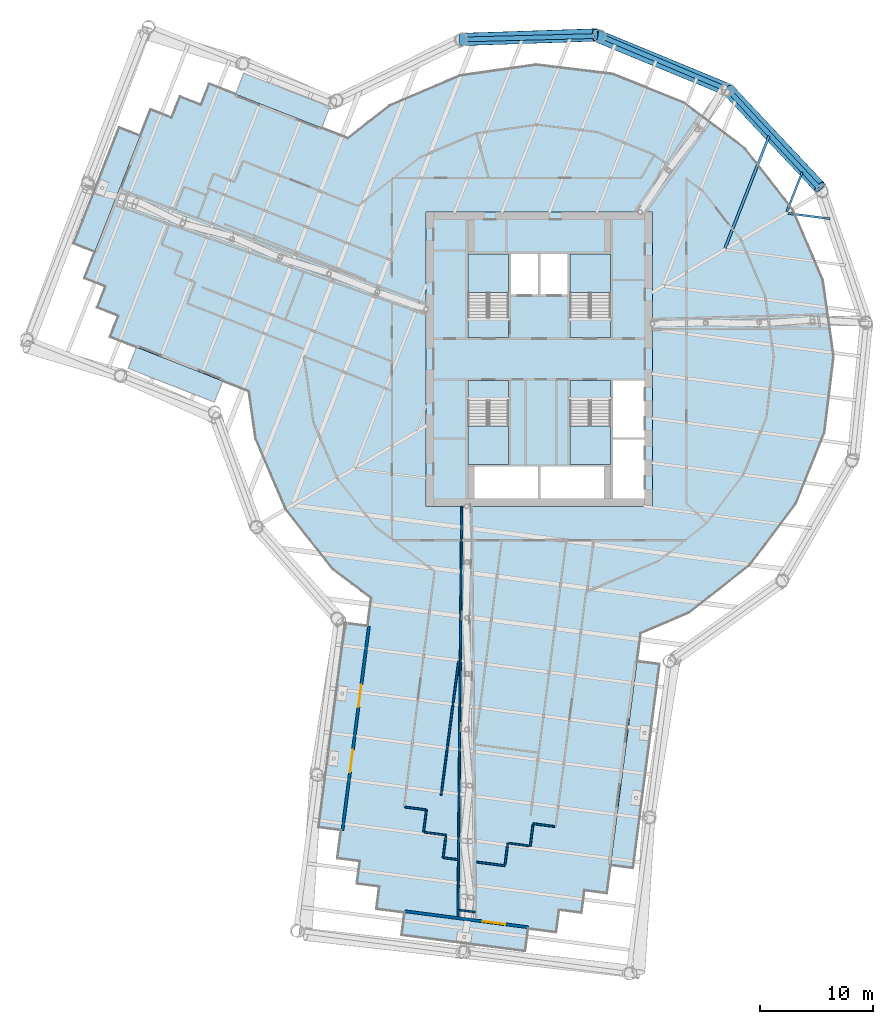
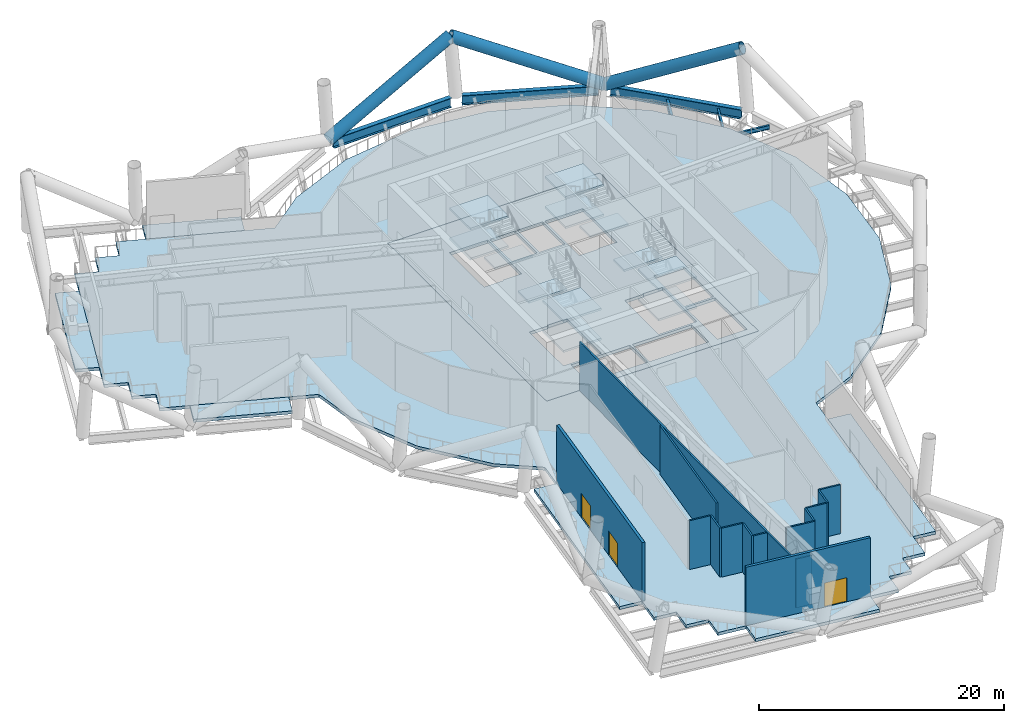
# One storey, part 10 of 36: 20 slabs, 15 walls, 6 beams, 3 doors, 3 members, 3 openings, 4 elements without a shape of their own.
"""IFC4 building model written with IfcOpenShell, lengths in metres."""

import ifcopenshell
import ifcopenshell.guid

model = None  # the IFC model being written
_history = None  # IfcOwnerHistory: only IFC2X3 demands one
_inside = {}  # id of a spatial element -> (the spatial element, [elements in it])
_under = {}  # id of a project, library or spatial element -> (it, [spatial elements below it])
_declared = {}  # id of a project -> (the project, [libraries it declares])
_typed = {}  # id of a type object -> (the type object, [elements of that type])
_made_of = {}  # id of a material, layer set ... -> (it, [elements and type objects made of it])


def new_model(schema):
    """Start an empty IFC model of exactly this schema.

    Asked for "IFC4X3", IfcOpenShell would pick the latest addendum, in which some entities
    have other attributes; the version numbers below select the first issue.
    IFC2X3 requires an IfcOwnerHistory on every rooted entity: one is made here for all.
    """
    global model, _history
    if schema == "IFC4X3":
        model = ifcopenshell.file(schema_version=(4, 3, 0, 0))
    else:
        model = ifcopenshell.file(schema=schema)
    _inside.clear()
    _under.clear()
    _declared.clear()
    _typed.clear()
    _made_of.clear()
    _history = None
    if model.schema == "IFC2X3":
        org = make("IfcOrganization", Name="unknown")
        user = make(
            "IfcPersonAndOrganization",
            ThePerson=make("IfcPerson", FamilyName="unknown"),
            TheOrganization=org,
        )
        app = make(
            "IfcApplication",
            ApplicationDeveloper=org,
            Version="unknown",
            ApplicationFullName="unknown",
            ApplicationIdentifier="unknown",
        )
        _history = make(
            "IfcOwnerHistory",
            OwningUser=user,
            OwningApplication=app,
            ChangeAction="ADDED",
            CreationDate=0,
        )
    return model


def make(cls, **values):
    """One entity of the class cls with the attributes given. An attribute that is None is left unset."""
    return model.create_entity(
        cls, **{name: value for name, value in values.items() if value is not None}
    )


def rooted(cls, **values):
    """An entity with a GlobalId (a new one), such as an element, a storey or a relation."""
    return make(cls, GlobalId=ifcopenshell.guid.new(), OwnerHistory=_history, **values)


def si_unit(unit_type, name, prefix=None):
    """IfcSIUnit, for example si_unit("LENGTHUNIT", "METRE", prefix="MILLI")."""
    return make("IfcSIUnit", UnitType=unit_type, Prefix=prefix, Name=name)


def assignment(units):
    """IfcUnitAssignment: the units of a project."""
    return None if units is None else make("IfcUnitAssignment", Units=units)


def point(xyz):
    """IfcCartesianPoint."""
    return None if xyz is None else make("IfcCartesianPoint", Coordinates=xyz)


def direction(xyz):
    """IfcDirection."""
    return None if xyz is None else make("IfcDirection", DirectionRatios=xyz)


def frame(location, z_axis=None, x_axis=None):
    """IfcAxis2Placement3D, a coordinate frame: its origin and axes. An axis left out is left unset."""
    return make(
        "IfcAxis2Placement3D",
        Location=point(location),
        Axis=direction(z_axis),
        RefDirection=direction(x_axis),
    )


def frame_2d(location, x_axis=None):
    """IfcAxis2Placement2D, a coordinate frame in the plane: its origin and x axis."""
    return make(
        "IfcAxis2Placement2D", Location=point(location), RefDirection=direction(x_axis)
    )


def origin():
    """The frame at (0, 0, 0) with its axes left unset."""
    return frame((0.0, 0.0, 0.0))


def origin_2d():
    """The frame at (0, 0) in the plane with its x axis left unset."""
    return frame_2d((0.0, 0.0))


def place(relative_to, where):
    """IfcLocalPlacement: puts the frame where relative to a parent placement (None: the world)."""
    return make(
        "IfcLocalPlacement", PlacementRelTo=relative_to, RelativePlacement=where
    )


def context(
    kind, dimensions, precision=None, world=None, true_north=None, identifier=None
):
    """IfcGeometricRepresentationContext, for example the 3D "Model" context."""
    return make(
        "IfcGeometricRepresentationContext",
        ContextIdentifier=identifier,
        ContextType=kind,
        CoordinateSpaceDimension=dimensions,
        Precision=precision,
        WorldCoordinateSystem=world,
        TrueNorth=true_north,
    )


def subcontext(parent, identifier, kind, view, scale=None):
    """IfcGeometricRepresentationSubContext, for example "Body" below "Model"."""
    return make(
        "IfcGeometricRepresentationSubContext",
        ContextIdentifier=identifier,
        ContextType=kind,
        ParentContext=parent,
        TargetScale=scale,
        TargetView=view,
    )


def project(units=None, contexts=None):
    """IfcProject with its units and contexts."""
    return rooted(
        "IfcProject",
        Name="project",
        RepresentationContexts=contexts,
        UnitsInContext=assignment(units),
    )


def spatial(cls, under=None, at=None, **own):
    """A site, building, storey or space (cls), placed at a placement, below another one or the project."""
    s = rooted(cls, ObjectPlacement=at, **own)
    if under is not None:
        _under.setdefault(under.id(), (under, []))[1].append(s)
    return s


def polyline(points):
    """IfcPolyline through the points."""
    return make("IfcPolyline", Points=[point(p) for p in points])


def profile(cls, at=None, kind="AREA", **sizes):
    """A parametric profile (cls). Its sizes go by their IFC names, for example OverallWidth=200.0."""
    return make(cls, ProfileType=kind, Position=at, **sizes)


def rectangle(**sizes):
    """IfcRectangleProfileDef."""
    return profile("IfcRectangleProfileDef", **sizes)


def hollow_circle(**sizes):
    """IfcCircleHollowProfileDef."""
    return profile("IfcCircleHollowProfileDef", **sizes)


def i_section(**sizes):
    """IfcIShapeProfileDef."""
    return profile("IfcIShapeProfileDef", **sizes)


def outline(outer, holes=None, kind="AREA"):
    """IfcArbitraryClosedProfileDef: a profile drawn as a closed curve; with holes, ...WithVoids."""
    if holes is None:
        return make("IfcArbitraryClosedProfileDef", ProfileType=kind, OuterCurve=outer)
    return make(
        "IfcArbitraryProfileDefWithVoids",
        ProfileType=kind,
        OuterCurve=outer,
        InnerCurves=holes,
    )


def extrude(swept, where, along, depth):
    """IfcExtrudedAreaSolid: the profile swept, set in the frame where, extruded along a direction by depth."""
    return make(
        "IfcExtrudedAreaSolid",
        SweptArea=swept,
        Position=where,
        ExtrudedDirection=direction(along),
        Depth=depth,
    )


def shape(context_of_items, identifier, shape_type, items):
    """IfcShapeRepresentation: the items that make up one representation, for example the "Body"."""
    return make(
        "IfcShapeRepresentation",
        ContextOfItems=context_of_items,
        RepresentationIdentifier=identifier,
        RepresentationType=shape_type,
        Items=items,
    )


def material(Name=None, Category=None):
    """IfcMaterial."""
    return make("IfcMaterial", Name=Name, Category=Category)


def layer(
    of_material, thickness, ventilated=None, Name=None, Category=None, Priority=None
):
    """IfcMaterialLayer: one layer of a wall or slab, of a material (None: an air gap)."""
    return make(
        "IfcMaterialLayer",
        Material=of_material,
        LayerThickness=thickness,
        IsVentilated=ventilated,
        Name=Name,
        Category=Category,
        Priority=Priority,
    )


def layer_set(layers, Name=None):
    """IfcMaterialLayerSet."""
    return make("IfcMaterialLayerSet", MaterialLayers=layers, LayerSetName=Name)


def material_profile(
    of_material, cross_section, Name=None, Category=None, Priority=None
):
    """IfcMaterialProfile: a cross section and its material."""
    return make(
        "IfcMaterialProfile",
        Name=Name,
        Material=of_material,
        Profile=cross_section,
        Priority=Priority,
        Category=Category,
    )


def profile_set(profiles, Name=None, composite=None):
    """IfcMaterialProfileSet."""
    return make(
        "IfcMaterialProfileSet",
        Name=Name,
        MaterialProfiles=profiles,
        CompositeProfile=composite,
    )


def made_of(thing, what):
    """Note that an element or type object is made of a material, layer set ...; save() writes the relation."""
    if what is not None:
        _made_of.setdefault(what.id(), (what, []))[1].append(thing)
    return thing


def type_object(cls, material=None, **own):
    """A type object (cls), such as IfcWallType, which elements share."""
    return made_of(rooted(cls, **own), material)


def element(
    cls,
    number,
    at=None,
    inside=None,
    cuts=None,
    type_object=None,
    material=None,
    context=None,
    identifier="Body",
    shape_type=None,
    held_by="IfcProductDefinitionShape",
    body=None,
    shapes=None,
    **own,
):
    """One element of the class cls, such as IfcWall. Its Tag is "e" and its number.

    at: its placement. inside: the storey or other place that contains it. cuts: it is an
    opening in that element (IfcRelVoidsElement). A single representation is given by context,
    identifier, shape_type and body (its items); several are given by shapes. held_by: the class
    of the entity that holds the representations. save() writes the other relations.
    """
    e = rooted(cls, Tag="e%d" % number, ObjectPlacement=at, **own)
    if body is not None:
        shapes = [shape(context, identifier, shape_type, body)]
    if shapes is not None:
        e.Representation = make(held_by, Representations=shapes)
    if inside is not None:
        _inside.setdefault(inside.id(), (inside, []))[1].append(e)
    if cuts is not None:
        rooted(
            "IfcRelVoidsElement", RelatingBuildingElement=cuts, RelatedOpeningElement=e
        )
    if type_object is not None:
        _typed.setdefault(type_object.id(), (type_object, []))[1].append(e)
    return made_of(e, material)


def fill(opening, filler):
    """IfcRelFillsElement: the door or window that sits in an opening."""
    return rooted(
        "IfcRelFillsElement",
        RelatingOpeningElement=opening,
        RelatedBuildingElement=filler,
    )


def aggregate(whole, parts):
    """IfcRelAggregates: a whole, such as a stair, and the parts it consists of."""
    return rooted("IfcRelAggregates", RelatingObject=whole, RelatedObjects=parts)


def save(model, path):
    """Write the relations noted so far, then the file.

    IfcRelAggregates (storeys below a building ...), IfcRelContainedInSpatialStructure (elements
    in a storey), IfcRelDefinesByType, IfcRelAssociatesMaterial and IfcRelDeclares: one each for
    every whole, place, type object, material and project.
    """
    for whole, parts in _under.values():
        aggregate(whole, parts)
    for where, things in _inside.values():
        rooted(
            "IfcRelContainedInSpatialStructure",
            RelatedElements=things,
            RelatingStructure=where,
        )
    for kind, things in _typed.values():
        rooted("IfcRelDefinesByType", RelatedObjects=things, RelatingType=kind)
    for what, things in _made_of.values():
        rooted("IfcRelAssociatesMaterial", RelatedObjects=things, RelatingMaterial=what)
    for by, libraries in _declared.values():
        rooted("IfcRelDeclares", RelatingContext=by, RelatedDefinitions=libraries)
    model.write(path)


model = new_model("IFC4")

# Units and contexts
model_context = context("Model", 3, precision=1e-05, world=origin(), true_north=direction((0.0, 1.0)))
body_context = subcontext(model_context, "Body", "Model", "MODEL_VIEW")
ifc_project = project(units=[si_unit("LENGTHUNIT", "METRE"), si_unit("AREAUNIT", "SQUARE_METRE"), si_unit("VOLUMEUNIT", "CUBIC_METRE"), si_unit("PLANEANGLEUNIT", "RADIAN"), si_unit("MASSUNIT", "GRAM", prefix="KILO")], contexts=[model_context])

# Site, building, storey
site_placement = place(None, origin())
site = spatial("IfcSite", under=ifc_project, at=site_placement, CompositionType="ELEMENT")
building_placement = place(site_placement, origin())
building = spatial("IfcBuilding", under=site, at=building_placement, Name="Tarsis Ring Headquarters", CompositionType="ELEMENT")
storey_placement = place(building_placement, frame((0.0, 0.0, 194.39990234375)))
storey = spatial("IfcBuildingStorey", under=building, at=storey_placement, Name="L45", CompositionType="ELEMENT", Elevation=194.39990234375)

# Beams
ifc_material_1 = material(Name="Structural steel S355", Category="steel")
ifc_material_profile_1 = material_profile(ifc_material_1, i_section(OverallWidth=0.177734375, OverallDepth=0.406494140625, WebThickness=0.0078125, FlangeThickness=0.0126953125, at=origin_2d()), Name="W16x40")
ifc_profile_set_1 = profile_set([ifc_material_profile_1], Name="Structural steel S355")
beam_type_1 = type_object("IfcBeamType", Name="FB Floor beam W16x40", PredefinedType="JOIST", material=ifc_profile_set_1)
beam_1_placement = place(storey_placement, frame((21.96044921875, 12.87890625, -0.503173828125), z_axis=(0.991670125326, -0.128803581221, 0.0), x_axis=(0.128803581221, 0.991670125326, 0.0)))
element("IfcBeam", 1, at=beam_1_placement, inside=storey, type_object=beam_type_1, Name="Floor beam FB1", PredefinedType="JOIST", context=body_context, shape_type="SweptSolid", body=[
    extrude(i_section(OverallWidth=0.177734375, OverallDepth=0.406494140625, WebThickness=0.0078125, FlangeThickness=0.0126953125, at=origin_2d()), origin(), (0.0, 0.0, 1.0), 3.74169921875),
])
beam_2_placement = place(storey_placement, frame((23.230712890625, 16.5234375, -0.503173828125), z_axis=(-0.364913442437, -0.931041448878, 0.0), x_axis=(0.931041448878, -0.364913442437, 0.0)))
element("IfcBeam", 2, at=beam_2_placement, inside=storey, type_object=beam_type_1, Name="Floor beam FB1", PredefinedType="JOIST", context=body_context, shape_type="SweptSolid", body=[
    extrude(i_section(OverallWidth=0.177734375, OverallDepth=0.406494140625, WebThickness=0.0078125, FlangeThickness=0.0126953125, at=origin_2d()), origin(), (0.0, 0.0, 1.0), 3.741943359375),
])
ifc_material_profile_2 = material_profile(ifc_material_1, i_section(OverallWidth=0.228271484375, OverallDepth=0.607177734375, WebThickness=0.01123046875, FlangeThickness=0.017333984375, at=origin_2d()), Name="W24x76")
ifc_profile_set_2 = profile_set([ifc_material_profile_2], Name="Structural steel S355")
beam_type_2 = type_object("IfcBeamType", Name="FB Floor beam W24x76", PredefinedType="JOIST", material=ifc_profile_set_2)
beam_3_placement = place(storey_placement, frame((20.288330078125, 19.703857421875, -0.603515625), z_axis=(-0.36488204632, -0.931053753697, 0.0), x_axis=(0.931053753697, -0.36488204632, 0.0)))
element("IfcBeam", 3, at=beam_3_placement, inside=storey, type_object=beam_type_2, Name="Floor beam FB4", PredefinedType="JOIST", context=body_context, shape_type="SweptSolid", body=[
    extrude(i_section(OverallWidth=0.228271484375, OverallDepth=0.607177734375, WebThickness=0.01123046875, FlangeThickness=0.017333984375, at=origin_2d()), origin(), (0.0, 0.0, 1.0), 10.62109375),
])

# Members
ifc_material_profile_3 = material_profile(ifc_material_1, hollow_circle(Radius=0.558837890625, WallThickness=0.044921875, at=origin_2d()), Name="CHS 1118x45")
ifc_profile_set_3 = profile_set([ifc_material_profile_3], Name="Structural steel S355")
member_type = type_object("IfcMemberType", Name="TD Belt truss diagonal CHS 1118x45", PredefinedType="BRACE", material=ifc_profile_set_3)
member_1_placement = place(storey_placement, frame((16.685302734375, 23.7783203125, 0.0), z_axis=(0.610485750503, -0.64893558092, 0.454081226487), x_axis=(0.728355222599, 0.685199729796, 0.0)))
element("IfcMember", 4, at=member_1_placement, inside=storey, type_object=member_type, Name="Belt truss diagonal TD4", PredefinedType="BRACE", context=body_context, shape_type="SweptSolid", body=[
    extrude(hollow_circle(Radius=0.558837890625, WallThickness=0.044921875, at=origin_2d()), origin(), (0.0, 0.0, 1.0), 13.21337890625),
])
member_2_placement = place(storey_placement, frame((16.685302734375, 23.7783203125, 0.0), z_axis=(-0.836198047385, 0.344767042512, 0.426507341024), x_axis=(-0.381175348823, -0.924502760109, 0.0)))
element("IfcMember", 5, at=member_2_placement, inside=storey, type_object=member_type, Name="Belt truss diagonal TD4", PredefinedType="BRACE", context=body_context, shape_type="SweptSolid", body=[
    extrude(hollow_circle(Radius=0.558837890625, WallThickness=0.044921875, at=origin_2d()), origin(), (0.0, 0.0, 1.0), 14.06787109375),
])
member_3_placement = place(storey_placement, frame((-6.843994140625, 28.230712890625, 0.0), z_axis=(0.890450020007, 0.030098625995, 0.454084611701), x_axis=(-0.033782296014, 0.99942921534, 0.0)))
element("IfcMember", 6, at=member_3_placement, inside=storey, type_object=member_type, Name="Belt truss diagonal TD4", PredefinedType="BRACE", context=body_context, shape_type="SweptSolid", body=[
    extrude(hollow_circle(Radius=0.558837890625, WallThickness=0.044921875, at=origin_2d()), origin(), (0.0, 0.0, 1.0), 13.21337890625),
])

# Beams
ifc_material_profile_4 = material_profile(ifc_material_1, i_section(OverallWidth=0.42431640625, OverallDepth=0.947509765625, WebThickness=0.02392578125, FlangeThickness=0.042724609375, at=origin_2d()), Name="W36x302")
ifc_profile_set_4 = profile_set([ifc_material_profile_4], Name="Structural steel S355")
beam_type_3 = type_object("IfcBeamType", Name="XG Ring girder W36x302", PredefinedType="BEAM", material=ifc_profile_set_4)
beam_4_placement = place(storey_placement, frame((24.661865234375, 15.156005859375, -0.4736328125), z_axis=(-0.679081475069, 0.734062906172, 0.0), x_axis=(-0.734062906172, -0.679081475069, 0.0)))
element("IfcBeam", 7, at=beam_4_placement, inside=storey, type_object=beam_type_3, Name="Ring girder XG1", PredefinedType="BEAM", context=body_context, shape_type="SweptSolid", body=[
    extrude(i_section(OverallWidth=0.42431640625, OverallDepth=0.947509765625, WebThickness=0.02392578125, FlangeThickness=0.042724609375, at=origin_2d()), origin(), (0.0, 0.0, 1.0), 11.2431640625),
])
for number, where, z_axis, x_axis, name in (
    (8, (16.22216796875, 23.97412109375, -0.4736328125), (-0.92128223993, 0.388894631474, 0.0), (-0.388894631474, -0.92128223993, 0.0), "Ring girder XG1"),
    (9, (4.89794921875, 28.529296875, -0.4736328125), (-0.999676646217, -0.025428389798, 0.0), (0.025428389798, -0.999676646217, 0.0), "Ring girder XG1"),
):
    element("IfcBeam", number, at=place(storey_placement, frame(where, z_axis=z_axis, x_axis=x_axis)), inside=storey, type_object=beam_type_3, Name=name, PredefinedType="BEAM", context=body_context, shape_type="SweptSolid", body=[
        extrude(i_section(OverallWidth=0.42431640625, OverallDepth=0.947509765625, WebThickness=0.02392578125, FlangeThickness=0.042724609375, at=origin_2d()), origin(), (0.0, 0.0, 1.0), 11.242919921875),
    ])

# Slabs
ifc_material_2 = material(Name="Concrete C40/50", Category="concrete")
ifc_layer_1 = layer(ifc_material_2, 0.159912109375)
ifc_layer_set_1 = layer_set([ifc_layer_1], Name="Balcony slab concrete C40/50")
slab_type_1 = type_object("IfcSlabType", Name="Balcony slab concrete C40/50", PredefinedType="FLOOR", material=ifc_layer_set_1)
slab_1_placement = place(storey_placement, frame((0.0, 0.0, -0.2998046875)))
element("IfcSlab", 10, at=slab_1_placement, inside=storey, type_object=slab_type_1, Name="Balcony slab L45-01", PredefinedType="FLOOR", context=body_context, shape_type="SweptSolid", body=[
    extrude(outline(polyline([(-35.56884765625, 1.05078125), (-36.298583984375, -0.8115234375), (-28.68994140625, -3.793212890625), (-27.960205078125, -1.93115234375), (-35.56884765625, 1.05078125)])), origin(), (0.0, 0.0, 1.0), 0.2998046875),
])
slab_2_placement = place(storey_placement, frame((0.0, 0.0, -0.2998046875)))
element("IfcSlab", 11, at=slab_2_placement, inside=storey, type_object=slab_type_1, Name="Balcony slab L45-06", PredefinedType="FLOOR", context=body_context, shape_type="SweptSolid", body=[
    extrude(outline(polyline([(-15.162109375, -23.571533203125), (-17.1455078125, -23.31396484375), (-19.486083984375, -41.33447265625), (-17.502685546875, -41.592041015625), (-15.162109375, -23.571533203125)])), origin(), (0.0, 0.0, 1.0), 0.2998046875),
])
slab_3_placement = place(storey_placement, frame((0.0, 0.0, -0.2998046875)))
element("IfcSlab", 12, at=slab_3_placement, inside=storey, type_object=slab_type_1, Name="Balcony slab L45-11", PredefinedType="FLOOR", context=body_context, shape_type="SweptSolid", body=[
    extrude(outline(polyline([(-11.89404296875, -48.875244140625), (-12.151611328125, -50.858642578125), (-1.2431640625, -52.275390625), (-0.985595703125, -50.2919921875), (-11.89404296875, -48.875244140625)])), origin(), (0.0, 0.0, 1.0), 0.2998046875),
])
slab_4_placement = place(storey_placement, frame((0.0, 0.0, -0.2998046875)))
element("IfcSlab", 13, at=slab_4_placement, inside=storey, type_object=slab_type_1, Name="Balcony slab L45-16", PredefinedType="FLOOR", context=body_context, shape_type="SweptSolid", body=[
    extrude(outline(polyline([(6.29736328125, -44.683349609375), (8.28076171875, -44.94091796875), (10.61865234375, -26.940673828125), (8.63525390625, -26.68310546875), (6.29736328125, -44.683349609375)])), origin(), (0.0, 0.0, 1.0), 0.2998046875),
])
slab_5_placement = place(storey_placement, frame((0.0, 0.0, -0.2998046875)))
element("IfcSlab", 14, at=slab_5_placement, inside=storey, type_object=slab_type_1, Name="Balcony slab L45-31", PredefinedType="FLOOR", context=body_context, shape_type="SweptSolid", body=[
    extrude(outline(polyline([(-19.222412109375, 20.421875), (-18.49267578125, 22.283935546875), (-26.08203125, 25.258056640625), (-26.811767578125, 23.39599609375), (-19.222412109375, 20.421875)])), origin(), (0.0, 0.0, 1.0), 0.2998046875),
])
slab_6_placement = place(storey_placement, frame((0.0, 0.0, -0.2998046875)))
element("IfcSlab", 15, at=slab_6_placement, inside=storey, type_object=slab_type_1, Name="Balcony slab L45-36", PredefinedType="FLOOR", context=body_context, shape_type="SweptSolid", body=[
    extrude(outline(polyline([(-35.2353515625, 19.7158203125), (-37.097412109375, 20.445556640625), (-41.111083984375, 10.2041015625), (-39.2490234375, 9.474365234375), (-35.2353515625, 19.7158203125)])), origin(), (0.0, 0.0, 1.0), 0.2998046875),
])
ifc_layer_2 = layer(ifc_material_2, 0.300048828125)
ifc_layer_set_2 = layer_set([ifc_layer_2], Name="Core floor slab 300 C40/50")
slab_type_2 = type_object("IfcSlabType", Name="Core floor slab 300 C40/50", PredefinedType="FLOOR", material=ifc_layer_set_2)
slab_7_placement = place(storey_placement, frame((0.0, 0.0, -0.2998046875)))
element("IfcSlab", 16, at=slab_7_placement, inside=storey, type_object=slab_type_2, Name="L45 core floor slab", PredefinedType="FLOOR", context=body_context, shape_type="SweptSolid", body=[
    extrude(outline(polyline([(-10.0, -13.0), (10.0, -13.0), (10.0, 13.0), (-10.0, 13.0), (-10.0, -13.0)]), holes=[polyline([(-2.5, 5.699951171875), (-0.10009765625, 5.699951171875), (-0.10009765625, 9.300048828125), (-2.5, 9.300048828125), (-2.5, 5.699951171875)]), polyline([(0.10009765625, 5.699951171875), (2.5, 5.699951171875), (2.5, 9.300048828125), (0.10009765625, 9.300048828125), (0.10009765625, 5.699951171875)]), polyline([(6.5, -12.300048828125), (9.300048828125, -12.300048828125), (9.300048828125, -7.10009765625), (6.5, -7.10009765625), (6.5, -12.300048828125)]), polyline([(6.5, -6.89990234375), (9.300048828125, -6.89990234375), (9.300048828125, -1.89990234375), (6.5, -1.89990234375), (6.5, -6.89990234375)]), polyline([(-5.699951171875, -12.300048828125), (-0.10009765625, -12.300048828125), (-0.10009765625, -9.5), (-5.699951171875, -9.5), (-5.699951171875, -12.300048828125)]), polyline([(0.10009765625, -12.300048828125), (5.699951171875, -12.300048828125), (5.699951171875, -9.5), (0.10009765625, -9.5), (0.10009765625, -12.300048828125)]), polyline([(-2.699951171875, 3.760009765625), (-2.699951171875, 9.300048828125), (-6.300048828125, 9.300048828125), (-6.300048828125, 3.659912109375), (-4.4599609375, 3.659912109375), (-4.4599609375, 3.760009765625), (-2.699951171875, 3.760009765625)]), polyline([(6.300048828125, 3.760009765625), (6.300048828125, 9.300048828125), (2.699951171875, 9.300048828125), (2.699951171875, 3.659912109375), (4.5400390625, 3.659912109375), (4.5400390625, 3.760009765625), (6.300048828125, 3.760009765625)]), polyline([(-6.300048828125, -3.760009765625), (-6.300048828125, -9.300048828125), (-2.699951171875, -9.300048828125), (-2.699951171875, -3.659912109375), (-4.5400390625, -3.659912109375), (-4.5400390625, -3.760009765625), (-6.300048828125, -3.760009765625)]), polyline([(2.699951171875, -3.760009765625), (2.699951171875, -9.300048828125), (6.300048828125, -9.300048828125), (6.300048828125, -3.659912109375), (4.4599609375, -3.659912109375), (4.4599609375, -3.760009765625), (2.699951171875, -3.760009765625)])]), origin(), (0.0, 0.0, 1.0), 0.2998046875),
])

# Stair, slabs
ifc_material_3 = material(Name="Core stair 1760")
stair_type = type_object("IfcStairType", Name="Core stair 1760", PredefinedType="HALF_TURN_STAIR", material=ifc_material_3)
stair_1_placement = place(storey_placement, origin())
stair_1 = element("IfcStair", 17, at=stair_1_placement, inside=storey, type_object=stair_type, Name="L45 Firefighting stair", PredefinedType="HALF_TURN_STAIR")
ifc_layer_3 = layer(ifc_material_2, 0.199951171875)
ifc_layer_set_3 = layer_set([ifc_layer_3], Name="Core stair landing 200")
slab_type_3 = type_object("IfcSlabType", Name="Core stair landing 200", PredefinedType="LANDING", material=ifc_layer_set_3)
slab_8_placement = place(storey_placement, frame((0.0, 0.0, 1.300048828125)))
slab_8 = element("IfcSlab", 18, at=slab_8_placement, type_object=slab_type_3, Name="Stair ST1 landing 1", PredefinedType="LANDING", context=body_context, shape_type="SweptSolid", body=[
    extrude(outline(polyline([(-2.699951171875, 5.89990234375), (-2.699951171875, 9.300048828125), (-6.300048828125, 9.300048828125), (-6.300048828125, 5.89990234375), (-2.699951171875, 5.89990234375)])), origin(), (0.0, 0.0, 1.0), 0.199951171875),
])
slab_9_placement = place(storey_placement, frame((0.0, 0.0, 2.800048828125)))
slab_9 = element("IfcSlab", 19, at=slab_9_placement, type_object=slab_type_3, Name="Stair ST1 landing 2", PredefinedType="LANDING", context=body_context, shape_type="SweptSolid", body=[
    extrude(outline(polyline([(-2.699951171875, 1.89990234375), (-2.699951171875, 3.659912109375), (-6.300048828125, 3.659912109375), (-6.300048828125, 1.89990234375), (-2.699951171875, 1.89990234375)])), origin(), (0.0, 0.0, 1.0), 0.199951171875),
])
slab_10_placement = place(storey_placement, frame((0.0, 0.0, 4.300048828125)))
slab_10 = element("IfcSlab", 20, at=slab_10_placement, type_object=slab_type_3, Name="Stair ST1 landing 3", PredefinedType="LANDING", context=body_context, shape_type="SweptSolid", body=[
    extrude(outline(polyline([(-2.699951171875, 5.89990234375), (-2.699951171875, 9.300048828125), (-6.300048828125, 9.300048828125), (-6.300048828125, 5.89990234375), (-2.699951171875, 5.89990234375)])), origin(), (0.0, 0.0, 1.0), 0.199951171875),
])
aggregate(stair_1, [slab_8, slab_9, slab_10])

stair_2_placement = place(storey_placement, origin())
stair_2 = element("IfcStair", 21, at=stair_2_placement, inside=storey, type_object=stair_type, Name="L45 Exit stair B", PredefinedType="HALF_TURN_STAIR")
slab_11_placement = place(storey_placement, frame((0.0, 0.0, 1.300048828125)))
slab_11 = element("IfcSlab", 22, at=slab_11_placement, type_object=slab_type_3, Name="Stair ST2 landing 1", PredefinedType="LANDING", context=body_context, shape_type="SweptSolid", body=[
    extrude(outline(polyline([(6.300048828125, 5.89990234375), (6.300048828125, 9.300048828125), (2.699951171875, 9.300048828125), (2.699951171875, 5.89990234375), (6.300048828125, 5.89990234375)])), origin(), (0.0, 0.0, 1.0), 0.199951171875),
])
slab_12_placement = place(storey_placement, frame((0.0, 0.0, 2.800048828125)))
slab_12 = element("IfcSlab", 23, at=slab_12_placement, type_object=slab_type_3, Name="Stair ST2 landing 2", PredefinedType="LANDING", context=body_context, shape_type="SweptSolid", body=[
    extrude(outline(polyline([(6.300048828125, 1.89990234375), (6.300048828125, 3.659912109375), (2.699951171875, 3.659912109375), (2.699951171875, 1.89990234375), (6.300048828125, 1.89990234375)])), origin(), (0.0, 0.0, 1.0), 0.199951171875),
])
slab_13_placement = place(storey_placement, frame((0.0, 0.0, 4.300048828125)))
slab_13 = element("IfcSlab", 24, at=slab_13_placement, type_object=slab_type_3, Name="Stair ST2 landing 3", PredefinedType="LANDING", context=body_context, shape_type="SweptSolid", body=[
    extrude(outline(polyline([(6.300048828125, 5.89990234375), (6.300048828125, 9.300048828125), (2.699951171875, 9.300048828125), (2.699951171875, 5.89990234375), (6.300048828125, 5.89990234375)])), origin(), (0.0, 0.0, 1.0), 0.199951171875),
])
aggregate(stair_2, [slab_11, slab_12, slab_13])

stair_3_placement = place(storey_placement, origin())
stair_3 = element("IfcStair", 25, at=stair_3_placement, inside=storey, type_object=stair_type, Name="L45 Exit stair C", PredefinedType="HALF_TURN_STAIR")
slab_14_placement = place(storey_placement, frame((0.0, 0.0, 1.300048828125)))
slab_14 = element("IfcSlab", 26, at=slab_14_placement, type_object=slab_type_3, Name="Stair ST3 landing 1", PredefinedType="LANDING", context=body_context, shape_type="SweptSolid", body=[
    extrude(outline(polyline([(-6.300048828125, -5.89990234375), (-6.300048828125, -9.300048828125), (-2.699951171875, -9.300048828125), (-2.699951171875, -5.89990234375), (-6.300048828125, -5.89990234375)])), origin(), (0.0, 0.0, 1.0), 0.199951171875),
])
slab_15_placement = place(storey_placement, frame((0.0, 0.0, 2.800048828125)))
slab_15 = element("IfcSlab", 27, at=slab_15_placement, type_object=slab_type_3, Name="Stair ST3 landing 2", PredefinedType="LANDING", context=body_context, shape_type="SweptSolid", body=[
    extrude(outline(polyline([(-6.300048828125, -1.89990234375), (-6.300048828125, -3.659912109375), (-2.699951171875, -3.659912109375), (-2.699951171875, -1.89990234375), (-6.300048828125, -1.89990234375)])), origin(), (0.0, 0.0, 1.0), 0.199951171875),
])
slab_16_placement = place(storey_placement, frame((0.0, 0.0, 4.300048828125)))
slab_16 = element("IfcSlab", 28, at=slab_16_placement, type_object=slab_type_3, Name="Stair ST3 landing 3", PredefinedType="LANDING", context=body_context, shape_type="SweptSolid", body=[
    extrude(outline(polyline([(-6.300048828125, -5.89990234375), (-6.300048828125, -9.300048828125), (-2.699951171875, -9.300048828125), (-2.699951171875, -5.89990234375), (-6.300048828125, -5.89990234375)])), origin(), (0.0, 0.0, 1.0), 0.199951171875),
])
aggregate(stair_3, [slab_14, slab_15, slab_16])

stair_4_placement = place(storey_placement, origin())
stair_4 = element("IfcStair", 29, at=stair_4_placement, inside=storey, type_object=stair_type, Name="L45 Exit stair D", PredefinedType="HALF_TURN_STAIR")
slab_17_placement = place(storey_placement, frame((0.0, 0.0, 1.300048828125)))
slab_17 = element("IfcSlab", 30, at=slab_17_placement, type_object=slab_type_3, Name="Stair ST4 landing 1", PredefinedType="LANDING", context=body_context, shape_type="SweptSolid", body=[
    extrude(outline(polyline([(2.699951171875, -5.89990234375), (2.699951171875, -9.300048828125), (6.300048828125, -9.300048828125), (6.300048828125, -5.89990234375), (2.699951171875, -5.89990234375)])), origin(), (0.0, 0.0, 1.0), 0.199951171875),
])
slab_18_placement = place(storey_placement, frame((0.0, 0.0, 2.800048828125)))
slab_18 = element("IfcSlab", 31, at=slab_18_placement, type_object=slab_type_3, Name="Stair ST4 landing 2", PredefinedType="LANDING", context=body_context, shape_type="SweptSolid", body=[
    extrude(outline(polyline([(2.699951171875, -1.89990234375), (2.699951171875, -3.659912109375), (6.300048828125, -3.659912109375), (6.300048828125, -1.89990234375), (2.699951171875, -1.89990234375)])), origin(), (0.0, 0.0, 1.0), 0.199951171875),
])
slab_19_placement = place(storey_placement, frame((0.0, 0.0, 4.300048828125)))
slab_19 = element("IfcSlab", 32, at=slab_19_placement, type_object=slab_type_3, Name="Stair ST4 landing 3", PredefinedType="LANDING", context=body_context, shape_type="SweptSolid", body=[
    extrude(outline(polyline([(2.699951171875, -5.89990234375), (2.699951171875, -9.300048828125), (6.300048828125, -9.300048828125), (6.300048828125, -5.89990234375), (2.699951171875, -5.89990234375)])), origin(), (0.0, 0.0, 1.0), 0.199951171875),
])
aggregate(stair_4, [slab_17, slab_18, slab_19])

# Slab
ifc_material_4 = material(Name="Concrete C35/45", Category="concrete")
ifc_layer_4 = layer(ifc_material_4, 0.300048828125)
ifc_layer_set_4 = layer_set([ifc_layer_4], Name="FS Composite floor slab 300")
slab_type_4 = type_object("IfcSlabType", Name="FS Composite floor slab 300", PredefinedType="FLOOR", material=ifc_layer_set_4)
slab_20_placement = place(storey_placement, frame((0.0, 0.0, -0.2998046875)))
element("IfcSlab", 33, at=slab_20_placement, inside=storey, type_object=slab_type_4, Name="Floor slab L45", PredefinedType="FLOOR", context=body_context, shape_type="SweptSolid", body=[
    extrude(outline(polyline([(-25.632568359375, -2.84326171875), (-25.042236328125, -6.991943359375), (-22.37939453125, -13.235107421875), (-18.191162109375, -18.576171875), (-14.840087890625, -21.09228515625), (-17.82470703125, -44.0712890625), (-15.84130859375, -44.328857421875), (-16.098876953125, -46.312255859375), (-14.115478515625, -46.56982421875), (-14.373046875, -48.55322265625), (1.49365234375, -50.614013671875), (1.751220703125, -48.630615234375), (3.734619140625, -48.88818359375), (3.9921875, -46.90478515625), (5.975341796875, -47.162353515625), (8.957275390625, -24.203857421875), (13.235107421875, -22.37939453125), (18.576171875, -18.191162109375), (22.651611328125, -12.763427734375), (25.18310546875, -6.4658203125), (25.99853515625, 0.272216796875), (25.042236328125, 6.991943359375), (22.37939453125, 13.235107421875), (18.191162109375, 18.576171875), (12.763427734375, 22.651611328125), (6.4658203125, 25.18310546875), (-0.272216796875, 25.99853515625), (-6.991943359375, 25.042236328125), (-13.235107421875, 22.37939453125), (-16.894775390625, 19.509521484375), (-29.139404296875, 24.308349609375), (-29.869140625, 22.446044921875), (-31.7314453125, 23.17578125), (-32.461181640625, 21.313720703125), (-34.3232421875, 22.04345703125), (-40.1611328125, 7.146728515625), (-38.299072265625, 6.4169921875), (-39.02880859375, 4.5546875), (-37.166748046875, 3.824951171875), (-37.896484375, 1.962890625), (-25.632568359375, -2.84326171875)]), holes=[polyline([(-10.0, -13.0), (-10.0, 13.0), (10.0, 13.0), (10.0, -13.0), (-10.0, -13.0)])]), origin(), (0.0, 0.0, 1.0), 0.2998046875),
])

# Walls
ifc_material_5 = material(Name="Gypsum board on steel studs", Category="steel")
ifc_layer_5 = layer(ifc_material_5, 0.14990234375)
ifc_layer_set_5 = layer_set([ifc_layer_5], Name="FL partition 150 EI 120 H4870")
wall_type_1 = type_object("IfcWallType", Name="FL partition 150 EI 120 H4870", PredefinedType="PARTITIONING", material=ifc_layer_set_5)
wall_1_placement = place(storey_placement, frame((-7.186279296875, -49.434814453125, 0.0), z_axis=(0.0, 0.0, 1.0), x_axis=(0.009226541591, 0.999957434559, 0.0)))
element("IfcWall", 34, at=wall_1_placement, inside=storey, type_object=wall_type_1, Name="Partition PW2H487", PredefinedType="PARTITIONING", context=body_context, shape_type="SweptSolid", body=[
    extrude(rectangle(XDim=36.436279296875, YDim=0.14990234375, at=frame_2d((18.21826171875, 0.0))), origin(), (0.0, 0.0, 1.0), 4.8701171875),
])
wall_2_placement = place(storey_placement, frame((-8.662841796875, -38.5166015625, 0.0), z_axis=(0.0, 0.0, 1.0), x_axis=(0.128789621692, 0.991671938367, 0.0)))
element("IfcWall", 35, at=wall_2_placement, inside=storey, type_object=wall_type_1, Name="Partition PW2H487", PredefinedType="PARTITIONING", context=body_context, shape_type="SweptSolid", body=[
    extrude(rectangle(XDim=11.984375, YDim=0.14990234375, at=frame_2d((5.9921875, 0.0))), origin(), (0.0, 0.0, 1.0), 4.8701171875),
])
wall_3_placement = place(storey_placement, frame((-5.53857421875, -44.406494140625, 0.0), z_axis=(0.0, 0.0, 1.0), x_axis=(0.991670467165, -0.128800949349, 0.0)))
element("IfcWall", 36, at=wall_3_placement, inside=storey, type_object=wall_type_1, Name="Partition PW2H487", PredefinedType="PARTITIONING", context=body_context, shape_type="SweptSolid", body=[
    extrude(rectangle(XDim=2.52099609375, YDim=0.14990234375, at=frame_2d((1.260498046875, 0.0))), origin(), (0.0, 0.0, 1.0), 4.8701171875),
])
wall_4_placement = place(storey_placement, frame((-10.21630859375, -41.781982421875, 0.0), z_axis=(0.0, 0.0, 1.0), x_axis=(0.128676317331, 0.991686646758, 0.0)))
element("IfcWall", 37, at=wall_4_placement, inside=storey, type_object=wall_type_1, Name="Partition PW2H487", PredefinedType="PARTITIONING", context=body_context, shape_type="SweptSolid", body=[
    extrude(rectangle(XDim=1.999755859375, YDim=0.14990234375, at=frame_2d((1.0, 0.0))), origin(), (0.0, 0.0, 1.0), 4.8701171875),
])
wall_5_placement = place(storey_placement, frame((-10.13720703125, -41.79248046875, 0.0), z_axis=(0.0, 0.0, 1.0), x_axis=(0.991669753431, -0.128806444445, 0.0)))
element("IfcWall", 38, at=wall_5_placement, inside=storey, type_object=wall_type_1, Name="Partition PW2H487", PredefinedType="PARTITIONING", context=body_context, shape_type="SweptSolid", body=[
    extrude(rectangle(XDim=1.920166015625, YDim=0.14990234375, at=frame_2d((0.9599609375, 0.0))), origin(), (0.0, 0.0, 1.0), 4.8701171875),
])
wall_6_placement = place(storey_placement, frame((-11.86279296875, -39.551513671875, 0.0), z_axis=(0.0, 0.0, 1.0), x_axis=(0.991666130494, -0.128834334053, 0.0)))
element("IfcWall", 39, at=wall_6_placement, inside=storey, type_object=wall_type_1, Name="Partition PW2H487", PredefinedType="PARTITIONING", context=body_context, shape_type="SweptSolid", body=[
    extrude(rectangle(XDim=1.840087890625, YDim=0.14990234375, at=frame_2d((0.919921875, 0.0))), origin(), (0.0, 0.0, 1.0), 4.8701171875),
])
wall_7_placement = place(storey_placement, frame((-0.537841796875, -41.0224609375, 0.0), z_axis=(0.0, 0.0, 1.0), x_axis=(0.991667643416, -0.128822688225, 0.0)))
element("IfcWall", 40, at=wall_7_placement, inside=storey, type_object=wall_type_1, Name="Partition PW2H487", PredefinedType="PARTITIONING", context=body_context, shape_type="SweptSolid", body=[
    extrude(rectangle(XDim=1.919921875, YDim=0.14990234375, at=frame_2d((0.9599609375, 0.0))), origin(), (0.0, 0.0, 1.0), 4.8701171875),
])
for number, where, z_axis, x_axis, name in (
    (41, (-0.79541015625, -43.003662109375, 0.0), (0.0, 0.0, 1.0), (0.128827600682, 0.99166700525, 0.0), "Partition PW2H487"),
    (42, (-8.490478515625, -44.02099609375, 0.0), (0.0, 0.0, 1.0), (0.128827600682, 0.99166700525, 0.0), "Partition PW2H487"),
    (43, (-3.02587890625, -44.650146484375, 0.0), (0.0, 0.0, 1.0), (0.128827600682, 0.99166700525, 0.0), "Partition PW2H487"),
):
    element("IfcWall", number, at=place(storey_placement, frame(where, z_axis=z_axis, x_axis=x_axis)), inside=storey, type_object=wall_type_1, Name=name, PredefinedType="PARTITIONING", context=body_context, shape_type="SweptSolid", body=[
        extrude(rectangle(XDim=1.917724609375, YDim=0.14990234375, at=frame_2d((0.958984375, 0.0))), origin(), (0.0, 0.0, 1.0), 4.8701171875),
    ])
wall_8_placement = place(storey_placement, frame((-2.699462890625, -42.75830078125, 0.0), z_axis=(0.0, 0.0, 1.0), x_axis=(0.991663257689, -0.128856444737, 0.0)))
element("IfcWall", 44, at=wall_8_placement, inside=storey, type_object=wall_type_1, Name="Partition PW2H487", PredefinedType="PARTITIONING", context=body_context, shape_type="SweptSolid", body=[
    extrude(rectangle(XDim=1.837890625, YDim=0.14990234375, at=frame_2d((0.9189453125, 0.0))), origin(), (0.0, 0.0, 1.0), 4.8701171875),
])
wall_9_placement = place(storey_placement, frame((-7.099609375, -48.640625, 0.0), z_axis=(0.0, 0.0, 1.0), x_axis=(0.991663142507, -0.128857331155, 0.0)))
element("IfcWall", 45, at=wall_9_placement, inside=storey, type_object=wall_type_1, Name="Partition PW2H487", PredefinedType="PARTITIONING", context=body_context, shape_type="SweptSolid", body=[
    extrude(rectangle(XDim=1.451416015625, YDim=0.14990234375, at=frame_2d((0.7255859375, 0.0))), origin(), (0.0, 0.0, 1.0), 4.8701171875),
])
wall_10_placement = place(storey_placement, frame((-8.409423828125, -44.03369140625, 0.0), z_axis=(0.0, 0.0, 1.0), x_axis=(0.991676115249, -0.128757455881, 0.0)))
element("IfcWall", 46, at=wall_10_placement, inside=storey, type_object=wall_type_1, Name="Partition PW2H487", PredefinedType="PARTITIONING", context=body_context, shape_type="SweptSolid", body=[
    extrude(rectangle(XDim=1.2021484375, YDim=0.14990234375, at=frame_2d((0.60107421875, 0.0))), origin(), (0.0, 0.0, 1.0), 4.8701171875),
])

# Wall, openings, doors
ifc_material_6 = material(Name="Terracotta clad insulated panel wall", Category="masonry")
ifc_layer_6 = layer(ifc_material_6, 0.25)
ifc_layer_set_6 = layer_set([ifc_layer_6], Name="Facade wall terracotta panel 250")
wall_type_2 = type_object("IfcWallType", Name="Facade wall terracotta panel 250", PredefinedType="STANDARD", material=ifc_layer_set_6)
wall_11_placement = place(storey_placement, frame((-15.038330078125, -23.587646484375, 0.0), z_axis=(0.0, 0.0, 1.0), x_axis=(-0.128788924153, -0.991672028957, 0.0)))
wall_11 = element("IfcWall", 47, at=wall_11_placement, inside=storey, type_object=wall_type_2, Name="External wall L45-02", PredefinedType="STANDARD", context=body_context, shape_type="SweptSolid", body=[
    extrude(rectangle(XDim=18.171875, YDim=0.25, at=frame_2d((9.0859375, 0.0))), origin(), (0.0, 0.0, 1.0), 5.840087890625),
])
opening_1_placement = place(wall_11_placement, frame((5.189453125, 0.0, 0.0)))
opening_1 = element("IfcOpeningElement", 48, at=opening_1_placement, cuts=wall_11, Name="Opening L45-BD03", PredefinedType="OPENING", context=body_context, shape_type="SweptSolid", body=[
    extrude(rectangle(XDim=2.0, YDim=2.39990234375, at=frame_2d((1.0, 1.199951171875))), frame((0.0, 0.135009765625, 0.0), z_axis=(0.0, -1.0, 0.0), x_axis=(1.0, 0.0, 0.0)), (0.0, 0.0, 1.0), 0.27001953125),
])
opening_2_placement = place(wall_11_placement, frame((10.982421875, 0.0, 0.0)))
opening_2 = element("IfcOpeningElement", 49, at=opening_2_placement, cuts=wall_11, Name="Opening L45-BD04", PredefinedType="OPENING", context=body_context, shape_type="SweptSolid", body=[
    extrude(rectangle(XDim=2.0, YDim=2.39990234375, at=frame_2d((1.0, 1.199951171875))), frame((0.0, 0.135009765625, 0.0), z_axis=(0.0, -1.0, 0.0), x_axis=(1.0, 0.0, 0.0)), (0.0, 0.0, 1.0), 0.27001953125),
])
ifc_material_7 = material(Name="Aluminium framed double glazing", Category="aluminium")
door_type = type_object("IfcDoorType", Name="Balcony sliding door 2000 x 2400", OperationType="SLIDING_TO_LEFT", PredefinedType="DOOR", material=ifc_material_7)
door_1_placement = place(opening_1_placement, origin())
door_1 = element("IfcDoor", 50, at=door_1_placement, inside=storey, type_object=door_type, Name="Door L45-BD03", OperationType="SINGLE_SWING_LEFT", OverallHeight=2.39990234375, OverallWidth=2.0, PredefinedType="DOOR", context=body_context, shape_type="SweptSolid", body=[
    extrude(rectangle(XDim=2.0, YDim=2.39990234375, at=frame_2d((1.0, 1.199951171875))), frame((0.0, 0.02490234375, 0.0), z_axis=(0.0, -1.0, 0.0), x_axis=(1.0, 0.0, 0.0)), (0.0, 0.0, 1.0), 0.050048828125),
])
fill(opening_1, door_1)
door_2_placement = place(opening_2_placement, origin())
door_2 = element("IfcDoor", 51, at=door_2_placement, inside=storey, type_object=door_type, Name="Door L45-BD04", OperationType="SINGLE_SWING_LEFT", OverallHeight=2.39990234375, OverallWidth=2.0, PredefinedType="DOOR", context=body_context, shape_type="SweptSolid", body=[
    extrude(rectangle(XDim=2.0, YDim=2.39990234375, at=frame_2d((1.0, 1.199951171875))), frame((0.0, 0.02490234375, 0.0), z_axis=(0.0, -1.0, 0.0), x_axis=(1.0, 0.0, 0.0)), (0.0, 0.0, 1.0), 0.050048828125),
])
fill(opening_2, door_2)

# Wall, opening, door
wall_12_placement = place(storey_placement, frame((-11.8779296875, -48.751220703125, 0.0), z_axis=(0.0, 0.0, 1.0), x_axis=(0.991671300437, -0.128794533615, 0.0)))
wall_12 = element("IfcWall", 52, at=wall_12_placement, inside=storey, type_object=wall_type_2, Name="External wall L45-03", PredefinedType="STANDARD", context=body_context, shape_type="SweptSolid", body=[
    extrude(rectangle(XDim=11.0, YDim=0.25, at=frame_2d((5.5, 0.0))), origin(), (0.0, 0.0, 1.0), 5.840087890625),
])
opening_3_placement = place(wall_12_placement, frame((6.949951171875, 0.0, 0.0)))
opening_3 = element("IfcOpeningElement", 53, at=opening_3_placement, cuts=wall_12, Name="Opening L45-BD05", PredefinedType="OPENING", context=body_context, shape_type="SweptSolid", body=[
    extrude(rectangle(XDim=2.0, YDim=2.39990234375, at=frame_2d((1.0, 1.199951171875))), frame((0.0, 0.135009765625, 0.0), z_axis=(0.0, -1.0, 0.0), x_axis=(1.0, 0.0, 0.0)), (0.0, 0.0, 1.0), 0.27001953125),
])
door_3_placement = place(opening_3_placement, origin())
door_3 = element("IfcDoor", 54, at=door_3_placement, inside=storey, type_object=door_type, Name="Door L45-BD05", OperationType="SINGLE_SWING_LEFT", OverallHeight=2.39990234375, OverallWidth=2.0, PredefinedType="DOOR", context=body_context, shape_type="SweptSolid", body=[
    extrude(rectangle(XDim=2.0, YDim=2.39990234375, at=frame_2d((1.0, 1.199951171875))), frame((0.0, 0.02490234375, 0.0), z_axis=(0.0, -1.0, 0.0), x_axis=(1.0, 0.0, 0.0)), (0.0, 0.0, 1.0), 0.050048828125),
])
fill(opening_3, door_3)

save(model, "model.ifc")
